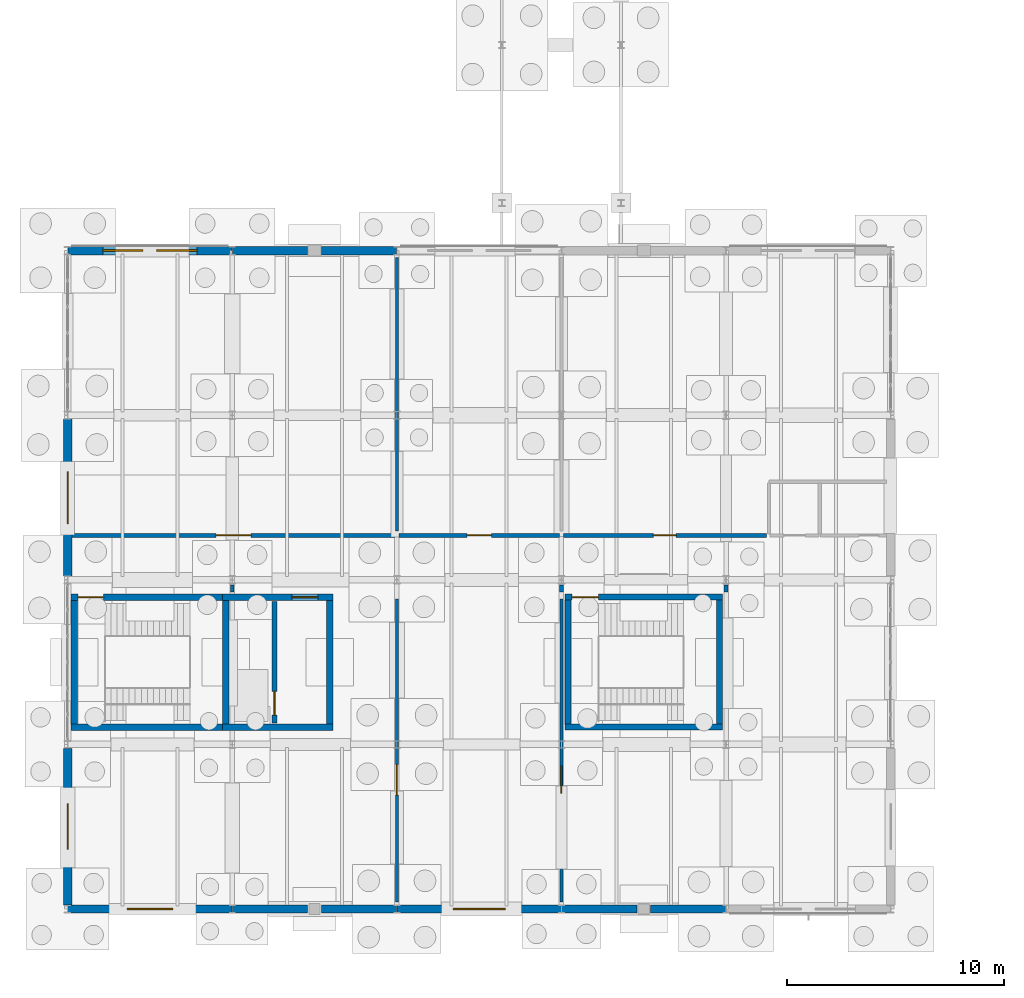
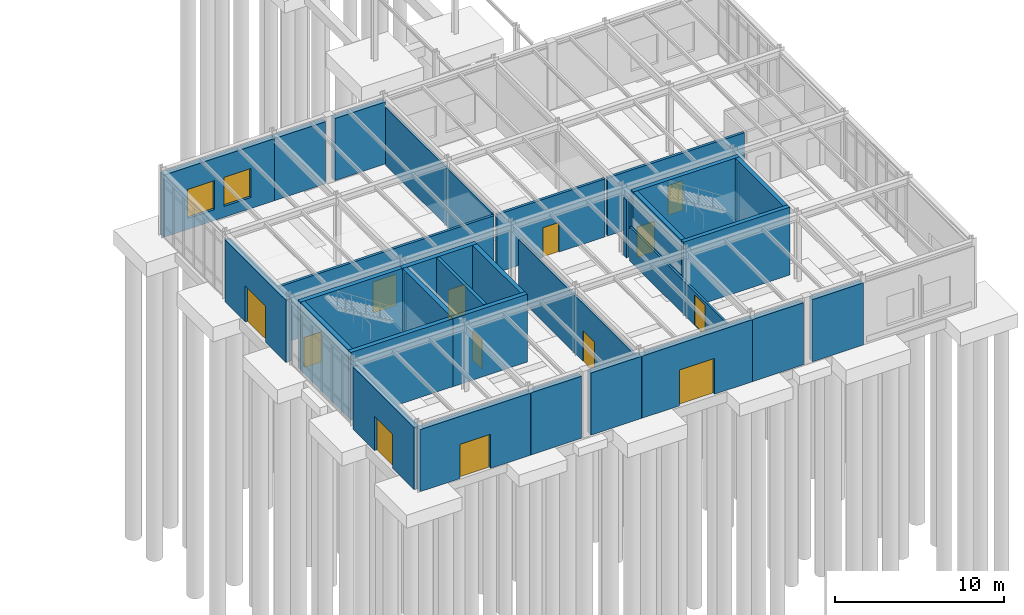
# One storey, part 81 of 109: 32 walls, 13 doors, 2 windows, 15 openings.
"""IFC4 building model written with IfcOpenShell, lengths in metres."""

from ifc_helpers import new_model, si_unit, direction, frame, frame_2d, origin, place, context, subcontext, project, spatial, rectangle, extrude, material, layer, layer_set, type_object, element, fill, save


model = new_model("IFC4")

# Units and contexts
model_context = context("Model", 3, precision=1e-05, world=origin(), true_north=direction((0.0, 1.0)))
body_context = subcontext(model_context, "Body", "Model", "MODEL_VIEW")
ifc_project = project(units=[si_unit("LENGTHUNIT", "METRE"), si_unit("AREAUNIT", "SQUARE_METRE"), si_unit("VOLUMEUNIT", "CUBIC_METRE"), si_unit("PLANEANGLEUNIT", "RADIAN"), si_unit("MASSUNIT", "GRAM", prefix="KILO")], contexts=[model_context])

# Site, building, storey
site_placement = place(None, origin())
site = spatial("IfcSite", under=ifc_project, at=site_placement, CompositionType="ELEMENT")
building_placement = place(site_placement, origin())
building = spatial("IfcBuilding", under=site, at=building_placement, Name="Montecoro Central Library", CompositionType="ELEMENT")
storey_placement = place(building_placement, origin())
storey = spatial("IfcBuildingStorey", under=building, at=storey_placement, Name="L00", CompositionType="ELEMENT", Elevation=0.0)

# Wall, opening, door
ifc_material_1 = material(Name="Dark piperno stone clad concrete C35/45", Category="masonry")
ifc_layer_1 = layer(ifc_material_1, 0.385009765625)
ifc_layer_set_1 = layer_set([ifc_layer_1], Name="Dark piperno stone clad concrete C35/45")
wall_type_1 = type_object("IfcWallType", Name="EW-PIP-385", PredefinedType="SOLIDWALL", material=ifc_layer_set_1)
wall_1_placement = place(storey_placement, frame((5.0048828125, 5.0, 0.0), z_axis=(0.0, 0.0, 1.0), x_axis=(1.0, 0.0, 0.0)))
wall_1 = element("IfcWall", 1, at=wall_1_placement, inside=storey, type_object=wall_type_1, Name="V3-L00-EW-S0", PredefinedType="SOLIDWALL", context=body_context, shape_type="SweptSolid", body=[
    extrude(rectangle(XDim=7.590087890625, YDim=0.385009765625, at=frame_2d((3.794921875, 0.0))), origin(), (0.0, 0.0, 1.0), 4.5),
])
opening_1_placement = place(wall_1_placement, frame((2.7451171875, 0.0, 0.0)))
opening_1 = element("IfcOpeningElement", 2, at=opening_1_placement, cuts=wall_1, Name="Opening ED-04", PredefinedType="OPENING", context=body_context, shape_type="SweptSolid", body=[
    extrude(rectangle(XDim=2.10009765625, YDim=2.47998046875, at=frame_2d((1.050048828125, 1.239990234375))), frame((0.0, 0.202392578125, 0.0), z_axis=(0.0, -1.0, 0.0), x_axis=(1.0, 0.0, 0.0)), (0.0, 0.0, 1.0), 0.405029296875),
])
ifc_material_2 = material(Name="Thermally broken architectural bronze and safety glass", Category="glass")
door_type_1 = type_object("IfcDoorType", Name="ED-EXIT-210", OperationType="NOTDEFINED", PredefinedType="DOOR", material=ifc_material_2)
door_1_placement = place(opening_1_placement, origin())
door_1 = element("IfcDoor", 3, at=door_1_placement, inside=storey, type_object=door_type_1, Name="V3-L00-ED-S0", OperationType="SINGLE_SWING_LEFT", OverallHeight=2.47998046875, OverallWidth=2.10009765625, PredefinedType="DOOR", context=body_context, shape_type="SweptSolid", body=[
    extrude(rectangle(XDim=2.10009765625, YDim=2.47998046875, at=frame_2d((1.050048828125, 1.239990234375))), frame((0.0, 0.02490234375, 0.0), z_axis=(0.0, -1.0, 0.0), x_axis=(1.0, 0.0, 0.0)), (0.0, 0.0, 1.0), 0.050048828125),
])
fill(opening_1, door_1)

# Walls
for number, where, z_axis, x_axis, name in (
    (4, (12.60498046875, 5.0, 0.0), (0.0, 0.0, 1.0), (1.0, 0.0, 0.0), "V3-L00-EW-S1P1"),
    (5, (16.719970703125, 5.0, 0.0), (0.0, 0.0, 1.0), (1.0, 0.0, 0.0), "V3-L00-EW-S1P2"),
):
    element("IfcWall", number, at=place(storey_placement, frame(where, z_axis=z_axis, x_axis=x_axis)), inside=storey, type_object=wall_type_1, Name=name, PredefinedType="SOLIDWALL", context=body_context, shape_type="SweptSolid", body=[
        extrude(rectangle(XDim=3.47509765625, YDim=0.385009765625, at=frame_2d((1.737548828125, 0.0))), origin(), (0.0, 0.0, 1.0), 4.5),
    ])

# Wall, opening, door
wall_2_placement = place(storey_placement, frame((20.205078125, 5.0, 0.0), z_axis=(0.0, 0.0, 1.0), x_axis=(1.0, 0.0, 0.0)))
wall_2 = element("IfcWall", 6, at=wall_2_placement, inside=storey, type_object=wall_type_1, Name="V3-L00-EW-S2", PredefinedType="SOLIDWALL", context=body_context, shape_type="SweptSolid", body=[
    extrude(rectangle(XDim=7.58984375, YDim=0.385009765625, at=frame_2d((3.794921875, 0.0))), origin(), (0.0, 0.0, 1.0), 4.5),
])
opening_2_placement = place(wall_2_placement, frame((2.594970703125, 0.0, 0.0)))
opening_2 = element("IfcOpeningElement", 7, at=opening_2_placement, cuts=wall_2, Name="Opening ED-02", PredefinedType="OPENING", context=body_context, shape_type="SweptSolid", body=[
    extrude(rectangle(XDim=2.39990234375, YDim=2.60009765625, at=frame_2d((1.199951171875, 1.300048828125))), frame((0.0, 0.202392578125, 0.0), z_axis=(0.0, -1.0, 0.0), x_axis=(1.0, 0.0, 0.0)), (0.0, 0.0, 1.0), 0.405029296875),
])
door_type_2 = type_object("IfcDoorType", Name="ED-EXIT-240", OperationType="NOTDEFINED", PredefinedType="DOOR", material=ifc_material_2)
door_2_placement = place(opening_2_placement, origin())
door_2 = element("IfcDoor", 8, at=door_2_placement, inside=storey, type_object=door_type_2, Name="V3-L00-ED-S2", OperationType="SINGLE_SWING_RIGHT", OverallHeight=2.60009765625, OverallWidth=2.39990234375, PredefinedType="DOOR", context=body_context, shape_type="SweptSolid", body=[
    extrude(rectangle(XDim=2.39990234375, YDim=2.60009765625, at=frame_2d((1.199951171875, 1.300048828125))), frame((0.0, 0.02490234375, 0.0), z_axis=(0.0, -1.0, 0.0), x_axis=(1.0, 0.0, 0.0)), (0.0, 0.0, 1.0), 0.050048828125),
])
fill(opening_2, door_2)

# Walls
for number, where, z_axis, x_axis, name in (
    (9, (27.804931640625, 5.0, 0.0), (0.0, 0.0, 1.0), (1.0, 0.0, 0.0), "V3-L00-EW-S3P1"),
    (10, (31.919921875, 5.0, 0.0), (0.0, 0.0, 1.0), (1.0, 0.0, 0.0), "V3-L00-EW-S3P2"),
    (11, (20.195068359375, 35.39990234375, 0.0), (0.0, 0.0, 1.0), (-1.0, 0.0, 0.0), "V3-L00-EW-N1P1"),
    (12, (16.080078125, 35.39990234375, 0.0), (0.0, 0.0, 1.0), (-1.0, 0.0, 0.0), "V3-L00-EW-N1P2"),
):
    element("IfcWall", number, at=place(storey_placement, frame(where, z_axis=z_axis, x_axis=x_axis)), inside=storey, type_object=wall_type_1, Name=name, PredefinedType="SOLIDWALL", context=body_context, shape_type="SweptSolid", body=[
        extrude(rectangle(XDim=3.47509765625, YDim=0.385009765625, at=frame_2d((1.737548828125, 0.0))), origin(), (0.0, 0.0, 1.0), 4.5),
    ])

# Wall, openings, windows
wall_3_placement = place(storey_placement, frame((12.594970703125, 35.39990234375, 0.0), z_axis=(0.0, 0.0, 1.0), x_axis=(-1.0, 0.0, 0.0)))
wall_3 = element("IfcWall", 13, at=wall_3_placement, inside=storey, type_object=wall_type_1, Name="V3-L00-EW-N0", PredefinedType="SOLIDWALL", context=body_context, shape_type="SweptSolid", body=[
    extrude(rectangle(XDim=7.590087890625, YDim=0.385009765625, at=frame_2d((3.794921875, 0.0))), origin(), (0.0, 0.0, 1.0), 4.5),
])
opening_3_placement = place(wall_3_placement, frame((1.6201171875, 0.0, 0.800048828125)))
opening_3 = element("IfcOpeningElement", 14, at=opening_3_placement, cuts=wall_3, Name="Opening WN-11", PredefinedType="OPENING", context=body_context, shape_type="SweptSolid", body=[
    extrude(rectangle(XDim=1.85009765625, YDim=2.10009765625, at=frame_2d((0.925048828125, 1.050048828125))), frame((0.0, 0.202392578125, 0.0), z_axis=(0.0, -1.0, 0.0), x_axis=(1.0, 0.0, 0.0)), (0.0, 0.0, 1.0), 0.405029296875),
])
opening_4_placement = place(wall_3_placement, frame((4.1201171875, 0.0, 0.800048828125)))
opening_4 = element("IfcOpeningElement", 15, at=opening_4_placement, cuts=wall_3, Name="Opening WN-11", PredefinedType="OPENING", context=body_context, shape_type="SweptSolid", body=[
    extrude(rectangle(XDim=1.85009765625, YDim=2.10009765625, at=frame_2d((0.925048828125, 1.050048828125))), frame((0.0, 0.202392578125, 0.0), z_axis=(0.0, -1.0, 0.0), x_axis=(1.0, 0.0, 0.0)), (0.0, 0.0, 1.0), 0.405029296875),
])
ifc_material_3 = material(Name="Laminated low-E double glazing", Category="glass")
window_type = type_object("IfcWindowType", Name="WN-CHD-185", PartitioningType="SINGLE_PANEL", PredefinedType="WINDOW", material=ifc_material_3)
window_1_placement = place(opening_3_placement, origin())
window_1 = element("IfcWindow", 16, at=window_1_placement, inside=storey, type_object=window_type, Name="V3-L00-WN-N0-1", OverallHeight=2.10009765625, OverallWidth=1.85009765625, PartitioningType="SINGLE_PANEL", PredefinedType="WINDOW", context=body_context, shape_type="SweptSolid", body=[
    extrude(rectangle(XDim=1.85009765625, YDim=2.10009765625, at=frame_2d((0.925048828125, 1.050048828125))), frame((0.0, 0.030029296875, 0.0), z_axis=(0.0, -1.0, 0.0), x_axis=(1.0, 0.0, 0.0)), (0.0, 0.0, 1.0), 0.06005859375),
])
fill(opening_3, window_1)
window_2_placement = place(opening_4_placement, origin())
window_2 = element("IfcWindow", 17, at=window_2_placement, inside=storey, type_object=window_type, Name="V3-L00-WN-N0-2", OverallHeight=2.10009765625, OverallWidth=1.85009765625, PartitioningType="SINGLE_PANEL", PredefinedType="WINDOW", context=body_context, shape_type="SweptSolid", body=[
    extrude(rectangle(XDim=1.85009765625, YDim=2.10009765625, at=frame_2d((0.925048828125, 1.050048828125))), frame((0.0, 0.030029296875, 0.0), z_axis=(0.0, -1.0, 0.0), x_axis=(1.0, 0.0, 0.0)), (0.0, 0.0, 1.0), 0.06005859375),
])
fill(opening_4, window_2)

# Wall, opening, door
wall_4_placement = place(storey_placement, frame((5.0, 27.6220703125, 0.0), z_axis=(0.0, 0.0, 1.0), x_axis=(0.0, -1.0, 0.0)))
wall_4 = element("IfcWall", 18, at=wall_4_placement, inside=storey, type_object=wall_type_1, Name="V3-L00-EW-W2", PredefinedType="SOLIDWALL", context=body_context, shape_type="SweptSolid", body=[
    extrude(rectangle(XDim=7.244140625, YDim=0.385009765625, at=frame_2d((3.6220703125, 0.0))), origin(), (0.0, 0.0, 1.0), 4.5),
])
opening_5_placement = place(wall_4_placement, frame((2.422119140625, 0.0, 0.0)))
opening_5 = element("IfcOpeningElement", 19, at=opening_5_placement, cuts=wall_4, Name="Opening ED-02", PredefinedType="OPENING", context=body_context, shape_type="SweptSolid", body=[
    extrude(rectangle(XDim=2.39990234375, YDim=2.60009765625, at=frame_2d((1.199951171875, 1.300048828125))), frame((0.0, 0.202392578125, 0.0), z_axis=(0.0, -1.0, 0.0), x_axis=(1.0, 0.0, 0.0)), (0.0, 0.0, 1.0), 0.405029296875),
])
door_3_placement = place(opening_5_placement, origin())
door_3 = element("IfcDoor", 20, at=door_3_placement, inside=storey, type_object=door_type_2, Name="V3-L00-ED-W2", OperationType="SINGLE_SWING_RIGHT", OverallHeight=2.60009765625, OverallWidth=2.39990234375, PredefinedType="DOOR", context=body_context, shape_type="SweptSolid", body=[
    extrude(rectangle(XDim=2.39990234375, YDim=2.60009765625, at=frame_2d((1.199951171875, 1.300048828125))), frame((0.0, 0.02490234375, 0.0), z_axis=(0.0, -1.0, 0.0), x_axis=(1.0, 0.0, 0.0)), (0.0, 0.0, 1.0), 0.050048828125),
])
fill(opening_5, door_3)

wall_5_placement = place(storey_placement, frame((5.0, 12.422119140625, 0.0), z_axis=(0.0, 0.0, 1.0), x_axis=(0.0, -1.0, 0.0)))
wall_5 = element("IfcWall", 21, at=wall_5_placement, inside=storey, type_object=wall_type_1, Name="V3-L00-EW-W0", PredefinedType="SOLIDWALL", context=body_context, shape_type="SweptSolid", body=[
    extrude(rectangle(XDim=7.244140625, YDim=0.385009765625, at=frame_2d((3.6220703125, 0.0))), origin(), (0.0, 0.0, 1.0), 4.5),
])
opening_6_placement = place(wall_5_placement, frame((2.572021484375, 0.0, 0.0)))
opening_6 = element("IfcOpeningElement", 22, at=opening_6_placement, cuts=wall_5, Name="Opening ED-04", PredefinedType="OPENING", context=body_context, shape_type="SweptSolid", body=[
    extrude(rectangle(XDim=2.10009765625, YDim=2.47998046875, at=frame_2d((1.050048828125, 1.239990234375))), frame((0.0, 0.202392578125, 0.0), z_axis=(0.0, -1.0, 0.0), x_axis=(1.0, 0.0, 0.0)), (0.0, 0.0, 1.0), 0.405029296875),
])
door_4_placement = place(opening_6_placement, origin())
door_4 = element("IfcDoor", 23, at=door_4_placement, inside=storey, type_object=door_type_1, Name="V3-L00-ED-W0", OperationType="SINGLE_SWING_LEFT", OverallHeight=2.47998046875, OverallWidth=2.10009765625, PredefinedType="DOOR", context=body_context, shape_type="SweptSolid", body=[
    extrude(rectangle(XDim=2.10009765625, YDim=2.47998046875, at=frame_2d((1.050048828125, 1.239990234375))), frame((0.0, 0.02490234375, 0.0), z_axis=(0.0, -1.0, 0.0), x_axis=(1.0, 0.0, 0.0)), (0.0, 0.0, 1.0), 0.050048828125),
])
fill(opening_6, door_4)

ifc_material_4 = material(Name="Gypsum fire-rated partition")
ifc_layer_2 = layer(ifc_material_4, 0.179931640625)
ifc_layer_set_2 = layer_set([ifc_layer_2], Name="Gypsum fire-rated partition")
wall_type_2 = type_object("IfcWallType", Name="IW-COR-180", PredefinedType="PARTITIONING", material=ifc_layer_set_2)
wall_6_placement = place(storey_placement, frame((5.199951171875, 22.25, 0.0), z_axis=(0.0, 0.0, 1.0), x_axis=(1.0, 0.0, 0.0)))
wall_6 = element("IfcWall", 24, at=wall_6_placement, inside=storey, type_object=wall_type_2, Name="CORW-V3-L00-01", PredefinedType="PARTITIONING", context=body_context, shape_type="SweptSolid", body=[
    extrude(rectangle(XDim=14.91015625, YDim=0.179931640625, at=frame_2d((7.455078125, 0.0))), origin(), (0.0, 0.0, 1.0), 4.199951171875),
])
opening_7_placement = place(wall_6_placement, frame((6.655029296875, 0.0, 0.0)))
opening_7 = element("IfcOpeningElement", 25, at=opening_7_placement, cuts=wall_6, Name="Opening ID-06", PredefinedType="OPENING", context=body_context, shape_type="SweptSolid", body=[
    extrude(rectangle(XDim=1.60009765625, YDim=2.25, at=frame_2d((0.800048828125, 1.125))), frame((0.0, 0.099853515625, 0.0), z_axis=(0.0, -1.0, 0.0), x_axis=(1.0, 0.0, 0.0)), (0.0, 0.0, 1.0), 0.199951171875),
])
ifc_material_5 = material(Name="Solid oak and fire-rated steel door", Category="steel")
door_type_3 = type_object("IfcDoorType", Name="ID-COR-160", OperationType="NOTDEFINED", PredefinedType="DOOR", material=ifc_material_5)
door_5_placement = place(opening_7_placement, origin())
door_5 = element("IfcDoor", 26, at=door_5_placement, inside=storey, type_object=door_type_3, Name="DR-SP-V3-L00-R1P1", OperationType="DOUBLE_DOOR_SINGLE_SWING", OverallHeight=2.25, OverallWidth=1.60009765625, PredefinedType="DOOR", context=body_context, shape_type="SweptSolid", body=[
    extrude(rectangle(XDim=1.60009765625, YDim=2.25, at=frame_2d((0.800048828125, 1.125))), frame((0.0, 0.02490234375, 0.0), z_axis=(0.0, -1.0, 0.0), x_axis=(1.0, 0.0, 0.0)), (0.0, 0.0, 1.0), 0.050048828125),
])
fill(opening_7, door_5)

wall_7_placement = place(storey_placement, frame((20.2900390625, 22.25, 0.0), z_axis=(0.0, 0.0, 1.0), x_axis=(1.0, 0.0, 0.0)))
wall_7 = element("IfcWall", 27, at=wall_7_placement, inside=storey, type_object=wall_type_2, Name="CORW-V3-L00-02", PredefinedType="PARTITIONING", context=body_context, shape_type="SweptSolid", body=[
    extrude(rectangle(XDim=7.419921875, YDim=0.179931640625, at=frame_2d((3.7099609375, 0.0))), origin(), (0.0, 0.0, 1.0), 4.199951171875),
])
opening_8_placement = place(wall_7_placement, frame((3.14990234375, 0.0, 0.0)))
opening_8 = element("IfcOpeningElement", 28, at=opening_8_placement, cuts=wall_7, Name="Opening ID-12", PredefinedType="OPENING", context=body_context, shape_type="SweptSolid", body=[
    extrude(rectangle(XDim=1.1201171875, YDim=2.14990234375, at=frame_2d((0.56005859375, 1.074951171875))), frame((0.0, 0.099853515625, 0.0), z_axis=(0.0, -1.0, 0.0), x_axis=(1.0, 0.0, 0.0)), (0.0, 0.0, 1.0), 0.199951171875),
])
door_type_4 = type_object("IfcDoorType", Name="ID-RM-112", OperationType="NOTDEFINED", PredefinedType="DOOR", material=ifc_material_5)
door_6_placement = place(opening_8_placement, origin())
door_6 = element("IfcDoor", 29, at=door_6_placement, inside=storey, type_object=door_type_4, Name="DR-SP-V3-L00-R2P2", OperationType="SINGLE_SWING_RIGHT", OverallHeight=2.14990234375, OverallWidth=1.1201171875, PredefinedType="DOOR", context=body_context, shape_type="SweptSolid", body=[
    extrude(rectangle(XDim=1.1201171875, YDim=2.14990234375, at=frame_2d((0.56005859375, 1.074951171875))), frame((0.0, 0.02490234375, 0.0), z_axis=(0.0, -1.0, 0.0), x_axis=(1.0, 0.0, 0.0)), (0.0, 0.0, 1.0), 0.050048828125),
])
fill(opening_8, door_6)

wall_8_placement = place(storey_placement, frame((27.889892578125, 22.25, 0.0), z_axis=(0.0, 0.0, 1.0), x_axis=(1.0, 0.0, 0.0)))
wall_8 = element("IfcWall", 30, at=wall_8_placement, inside=storey, type_object=wall_type_2, Name="CORW-V3-L00-03", PredefinedType="PARTITIONING", context=body_context, shape_type="SweptSolid", body=[
    extrude(rectangle(XDim=9.3701171875, YDim=0.179931640625, at=frame_2d((4.68505859375, 0.0))), origin(), (0.0, 0.0, 1.0), 4.199951171875),
])
opening_9_placement = place(wall_8_placement, frame((4.159912109375, 0.0, 0.0)))
opening_9 = element("IfcOpeningElement", 31, at=opening_9_placement, cuts=wall_8, Name="Opening ID-13", PredefinedType="OPENING", context=body_context, shape_type="SweptSolid", body=[
    extrude(rectangle(XDim=1.050048828125, YDim=2.14990234375, at=frame_2d((0.52490234375, 1.074951171875))), frame((0.0, 0.099853515625, 0.0), z_axis=(0.0, -1.0, 0.0), x_axis=(1.0, 0.0, 0.0)), (0.0, 0.0, 1.0), 0.199951171875),
])
door_type_5 = type_object("IfcDoorType", Name="ID-RM-105", OperationType="NOTDEFINED", PredefinedType="DOOR", material=ifc_material_5)
door_7_placement = place(opening_9_placement, origin())
door_7 = element("IfcDoor", 32, at=door_7_placement, inside=storey, type_object=door_type_5, Name="DR-SP-V3-L00-R3P1", OperationType="SINGLE_SWING_LEFT", OverallHeight=2.14990234375, OverallWidth=1.050048828125, PredefinedType="DOOR", context=body_context, shape_type="SweptSolid", body=[
    extrude(rectangle(XDim=1.050048828125, YDim=2.14990234375, at=frame_2d((0.52490234375, 1.074951171875))), frame((0.0, 0.02490234375, 0.0), z_axis=(0.0, -1.0, 0.0), x_axis=(1.0, 0.0, 0.0)), (0.0, 0.0, 1.0), 0.050048828125),
])
fill(opening_9, door_7)

# Walls
for number, where, z_axis, x_axis, name in (
    (33, (12.60009765625, 19.639892578125, 0.0), (0.0, 0.0, 1.0), (0.0, 1.0, 0.0), "PIL-V3-L00-1"),
    (34, (27.800048828125, 19.639892578125, 0.0), (0.0, 0.0, 1.0), (0.0, 1.0, 0.0), "PIL-V3-L00-2"),
    (35, (35.39990234375, 19.639892578125, 0.0), (0.0, 0.0, 1.0), (0.0, 1.0, 0.0), "PIL-V3-L00-3"),
):
    element("IfcWall", number, at=place(storey_placement, frame(where, z_axis=z_axis, x_axis=x_axis)), inside=storey, type_object=wall_type_2, Name=name, PredefinedType="PARTITIONING", context=body_context, shape_type="SweptSolid", body=[
        extrude(rectangle(XDim=0.320068359375, YDim=0.179931640625, at=frame_2d((0.16015625, 0.0))), origin(), (0.0, 0.0, 1.0), 4.199951171875),
    ])

# Wall, opening, door
ifc_material_6 = material(Name="Concrete C32/40", Category="concrete")
ifc_layer_3 = layer(ifc_material_6, 0.219970703125)
ifc_layer_set_3 = layer_set([ifc_layer_3], Name="Concrete C32/40")
wall_type_3 = type_object("IfcWallType", Name="IW-FFL-220", PredefinedType="SOLIDWALL", material=ifc_layer_set_3)
wall_9_placement = place(storey_placement, frame((14.550048828125, 13.60009765625, 0.0), z_axis=(0.0, 0.0, 1.0), x_axis=(0.0, 1.0, 0.0)))
wall_9 = element("IfcWall", 36, at=wall_9_placement, inside=storey, type_object=wall_type_3, Name="C4-L00-WLSH", PredefinedType="SOLIDWALL", context=body_context, shape_type="SweptSolid", body=[
    extrude(rectangle(XDim=5.599853515625, YDim=0.219970703125, at=frame_2d((2.7998046875, 0.0))), origin(), (0.0, 0.0, 1.0), 4.922119140625),
])
opening_10_placement = place(wall_9_placement, frame((0.35009765625, 0.0, 0.0)))
opening_10 = element("IfcOpeningElement", 37, at=opening_10_placement, cuts=wall_9, Name="Opening LD-01", PredefinedType="OPENING", context=body_context, shape_type="SweptSolid", body=[
    extrude(rectangle(XDim=1.10009765625, YDim=2.14990234375, at=frame_2d((0.550048828125, 1.074951171875))), frame((0.0, 0.119873046875, 0.0), z_axis=(0.0, -1.0, 0.0), x_axis=(1.0, 0.0, 0.0)), (0.0, 0.0, 1.0), 0.239990234375),
])
door_type_6 = type_object("IfcDoorType", Name="LD-LIFT-110", OperationType="NOTDEFINED", PredefinedType="DOOR", material=ifc_material_5)
door_8_placement = place(opening_10_placement, origin())
door_8 = element("IfcDoor", 38, at=door_8_placement, inside=storey, type_object=door_type_6, Name="C4-L00-LD-PL-04", OperationType="SLIDING_TO_LEFT", OverallHeight=2.14990234375, OverallWidth=1.10009765625, PredefinedType="DOOR", context=body_context, shape_type="SweptSolid", body=[
    extrude(rectangle(XDim=1.10009765625, YDim=2.14990234375, at=frame_2d((0.550048828125, 1.074951171875))), frame((0.0, 0.02490234375, 0.0), z_axis=(0.0, -1.0, 0.0), x_axis=(1.0, 0.0, 0.0)), (0.0, 0.0, 1.0), 0.050048828125),
])
fill(opening_10, door_8)

# Wall
ifc_material_7 = material(Name="Gypsum metal-stud partition")
ifc_layer_4 = layer(ifc_material_7, 0.139892578125)
ifc_layer_set_4 = layer_set([ifc_layer_4], Name="Gypsum metal-stud partition")
wall_type_4 = type_object("IfcWallType", Name="IW-PRT-140", PredefinedType="PARTITIONING", material=ifc_layer_set_4)
wall_10_placement = place(storey_placement, frame((20.199951171875, 22.4599609375, 0.0), z_axis=(0.0, 0.0, 1.0), x_axis=(0.0, 1.0, 0.0)))
element("IfcWall", 39, at=wall_10_placement, inside=storey, type_object=wall_type_4, Name="DIVW-V3-L00-01-1", PredefinedType="PARTITIONING", context=body_context, shape_type="SweptSolid", body=[
    extrude(rectangle(XDim=12.6201171875, YDim=0.139892578125, at=frame_2d((6.31005859375, 0.0))), origin(), (0.0, 0.0, 1.0), 4.199951171875),
])

# Wall, opening, door
wall_11_placement = place(storey_placement, frame((20.199951171875, 5.320068359375, 0.0), z_axis=(0.0, 0.0, 1.0), x_axis=(0.0, 1.0, 0.0)))
wall_11 = element("IfcWall", 40, at=wall_11_placement, inside=storey, type_object=wall_type_4, Name="DIVWS-V3-L00-01-1", PredefinedType="PARTITIONING", context=body_context, shape_type="SweptSolid", body=[
    extrude(rectangle(XDim=13.989990234375, YDim=0.139892578125, at=frame_2d((6.9951171875, 0.0))), origin(), (0.0, 0.0, 1.0), 4.199951171875),
])
opening_11_placement = place(wall_11_placement, frame((4.945068359375, 0.0, 0.0)))
opening_11 = element("IfcOpeningElement", 41, at=opening_11_placement, cuts=wall_11, Name="Opening ID-08", PredefinedType="OPENING", context=body_context, shape_type="SweptSolid", body=[
    extrude(rectangle(XDim=1.39990234375, YDim=2.219970703125, at=frame_2d((0.699951171875, 1.10986328125))), frame((0.0, 0.079833984375, 0.0), z_axis=(0.0, -1.0, 0.0), x_axis=(1.0, 0.0, 0.0)), (0.0, 0.0, 1.0), 0.159912109375),
])
door_type_7 = type_object("IfcDoorType", Name="ID-RDG-140", OperationType="NOTDEFINED", PredefinedType="DOOR", material=ifc_material_5)
door_9_placement = place(opening_11_placement, origin())
door_9 = element("IfcDoor", 42, at=door_9_placement, inside=storey, type_object=door_type_7, Name="DR-SP-V3-L00-R1P2", OperationType="SINGLE_SWING_RIGHT", OverallHeight=2.219970703125, OverallWidth=1.39990234375, PredefinedType="DOOR", context=body_context, shape_type="SweptSolid", body=[
    extrude(rectangle(XDim=1.39990234375, YDim=2.219970703125, at=frame_2d((0.699951171875, 1.10986328125))), frame((0.0, 0.02490234375, 0.0), z_axis=(0.0, -1.0, 0.0), x_axis=(1.0, 0.0, 0.0)), (0.0, 0.0, 1.0), 0.050048828125),
])
fill(opening_11, door_9)

wall_12_placement = place(storey_placement, frame((27.800048828125, 5.320068359375, 0.0), z_axis=(0.0, 0.0, 1.0), x_axis=(0.0, 1.0, 0.0)))
wall_12 = element("IfcWall", 43, at=wall_12_placement, inside=storey, type_object=wall_type_4, Name="DIVWS-V3-L00-02-1", PredefinedType="PARTITIONING", context=body_context, shape_type="SweptSolid", body=[
    extrude(rectangle(XDim=13.989990234375, YDim=0.139892578125, at=frame_2d((6.9951171875, 0.0))), origin(), (0.0, 0.0, 1.0), 2.445068359375),
])
opening_12_placement = place(wall_12_placement, frame((5.014892578125, 0.0, 0.0)))
opening_12 = element("IfcOpeningElement", 44, at=opening_12_placement, cuts=wall_12, Name="Opening ID-09", PredefinedType="OPENING", context=body_context, shape_type="SweptSolid", body=[
    extrude(rectangle(XDim=1.260009765625, YDim=2.199951171875, at=frame_2d((0.6298828125, 1.10009765625))), frame((0.0, 0.079833984375, 0.0), z_axis=(0.0, -1.0, 0.0), x_axis=(1.0, 0.0, 0.0)), (0.0, 0.0, 1.0), 0.159912109375),
])
door_type_8 = type_object("IfcDoorType", Name="ID-RDG-126", OperationType="NOTDEFINED", PredefinedType="DOOR", material=ifc_material_5)
door_10_placement = place(opening_12_placement, origin())
door_10 = element("IfcDoor", 45, at=door_10_placement, inside=storey, type_object=door_type_8, Name="DR-SP-V3-L00-R2P1", OperationType="SINGLE_SWING_LEFT", OverallHeight=2.199951171875, OverallWidth=1.260009765625, PredefinedType="DOOR", context=body_context, shape_type="SweptSolid", body=[
    extrude(rectangle(XDim=1.260009765625, YDim=2.199951171875, at=frame_2d((0.6298828125, 1.10009765625))), frame((0.0, 0.02490234375, 0.0), z_axis=(0.0, -1.0, 0.0), x_axis=(1.0, 0.0, 0.0)), (0.0, 0.0, 1.0), 0.050048828125),
])
fill(opening_12, door_10)

# Wall
ifc_material_8 = material(Name="Concrete C35/45", Category="concrete")
ifc_layer_5 = layer(ifc_material_8, 0.280029296875)
ifc_layer_set_5 = layer_set([ifc_layer_5], Name="Concrete C35/45")
wall_type_5 = type_object("IfcWallType", Name="IW-SHR-280", PredefinedType="SHEAR", material=ifc_layer_set_5)
wall_13_placement = place(storey_placement, frame((27.9599609375, 13.39990234375, 0.0), z_axis=(0.0, 0.0, 1.0), x_axis=(1.0, 0.0, 0.0)))
element("IfcWall", 46, at=wall_13_placement, inside=storey, type_object=wall_type_5, Name="C11-L00-WS", PredefinedType="SHEAR", context=body_context, shape_type="SweptSolid", body=[
    extrude(rectangle(XDim=7.280029296875, YDim=0.280029296875, at=frame_2d((3.64013671875, 0.0))), origin(), (0.0, 0.0, 1.0), 4.922119140625),
])

# Wall, opening, door
wall_14_placement = place(storey_placement, frame((27.9599609375, 19.39990234375, 0.0), z_axis=(0.0, 0.0, 1.0), x_axis=(1.0, 0.0, 0.0)))
wall_14 = element("IfcWall", 47, at=wall_14_placement, inside=storey, type_object=wall_type_5, Name="C11-L00-WN", PredefinedType="SHEAR", context=body_context, shape_type="SweptSolid", body=[
    extrude(rectangle(XDim=7.280029296875, YDim=0.280029296875, at=frame_2d((3.64013671875, 0.0))), origin(), (0.0, 0.0, 1.0), 4.922119140625),
])
opening_13_placement = place(wall_14_placement, frame((0.320068359375, 0.0, 0.0)))
opening_13 = element("IfcOpeningElement", 48, at=opening_13_placement, cuts=wall_14, Name="Opening ID-01", PredefinedType="OPENING", context=body_context, shape_type="SweptSolid", body=[
    extrude(rectangle(XDim=1.219970703125, YDim=2.179931640625, at=frame_2d((0.60986328125, 1.08984375))), frame((0.0, 0.14990234375, 0.0), z_axis=(0.0, -1.0, 0.0), x_axis=(1.0, 0.0, 0.0)), (0.0, 0.0, 1.0), 0.300048828125),
])
door_type_9 = type_object("IfcDoorType", Name="ID-STR-140", OperationType="NOTDEFINED", PredefinedType="DOOR", material=ifc_material_5)
door_11_placement = place(opening_13_placement, origin())
door_11 = element("IfcDoor", 49, at=door_11_placement, inside=storey, type_object=door_type_9, Name="C11-L00-DSTR", OperationType="SINGLE_SWING_RIGHT", OverallHeight=2.179931640625, OverallWidth=1.219970703125, PredefinedType="DOOR", context=body_context, shape_type="SweptSolid", body=[
    extrude(rectangle(XDim=1.219970703125, YDim=2.179931640625, at=frame_2d((0.60986328125, 1.08984375))), frame((0.0, 0.02490234375, 0.0), z_axis=(0.0, -1.0, 0.0), x_axis=(1.0, 0.0, 0.0)), (0.0, 0.0, 1.0), 0.050048828125),
])
fill(opening_13, door_11)

# Walls
for number, where, z_axis, x_axis, name in (
    (50, (28.10009765625, 13.5400390625, 0.0), (0.0, 0.0, 1.0), (0.0, 1.0, 0.0), "C11-L00-WW"),
    (51, (35.10009765625, 13.5400390625, 0.0), (0.0, 0.0, 1.0), (0.0, 1.0, 0.0), "C11-L00-WE"),
):
    element("IfcWall", number, at=place(storey_placement, frame(where, z_axis=z_axis, x_axis=x_axis)), inside=storey, type_object=wall_type_5, Name=name, PredefinedType="SHEAR", context=body_context, shape_type="SweptSolid", body=[
        extrude(rectangle(XDim=5.719970703125, YDim=0.280029296875, at=frame_2d((2.85986328125, 0.0))), origin(), (0.0, 0.0, 1.0), 4.922119140625),
    ])
ifc_layer_6 = layer(ifc_material_8, 0.300048828125)
ifc_layer_set_6 = layer_set([ifc_layer_6], Name="Concrete C35/45")
wall_type_6 = type_object("IfcWallType", Name="IW-SHR-300", PredefinedType="SHEAR", material=ifc_layer_set_6)
wall_15_placement = place(storey_placement, frame((12.14990234375, 13.39990234375, 0.0), z_axis=(0.0, 0.0, 1.0), x_axis=(1.0, 0.0, 0.0)))
element("IfcWall", 52, at=wall_15_placement, inside=storey, type_object=wall_type_6, Name="C4-L00-LWS", PredefinedType="SHEAR", context=body_context, shape_type="SweptSolid", body=[
    extrude(rectangle(XDim=5.10009765625, YDim=0.300048828125, at=frame_2d((2.550048828125, 0.0))), origin(), (0.0, 0.0, 1.0), 4.922119140625),
])

# Wall, opening, door
wall_16_placement = place(storey_placement, frame((17.25, 19.39990234375, 0.0), z_axis=(0.0, 0.0, 1.0), x_axis=(-1.0, 0.0, 0.0)))
wall_16 = element("IfcWall", 53, at=wall_16_placement, inside=storey, type_object=wall_type_6, Name="C4-L00-LWN", PredefinedType="SHEAR", context=body_context, shape_type="SweptSolid", body=[
    extrude(rectangle(XDim=5.10009765625, YDim=0.300048828125, at=frame_2d((2.550048828125, 0.0))), origin(), (0.0, 0.0, 1.0), 4.922119140625),
])
opening_14_placement = place(wall_16_placement, frame((0.699951171875, 0.0, 0.0)))
opening_14 = element("IfcOpeningElement", 54, at=opening_14_placement, cuts=wall_16, Name="Opening ID-03", PredefinedType="OPENING", context=body_context, shape_type="SweptSolid", body=[
    extrude(rectangle(XDim=1.199951171875, YDim=2.159912109375, at=frame_2d((0.60009765625, 1.080078125))), frame((0.0, 0.159912109375, 0.0), z_axis=(0.0, -1.0, 0.0), x_axis=(1.0, 0.0, 0.0)), (0.0, 0.0, 1.0), 0.320068359375),
])
door_type_10 = type_object("IfcDoorType", Name="ID-FFL-120", OperationType="NOTDEFINED", PredefinedType="DOOR", material=ifc_material_5)
door_12_placement = place(opening_14_placement, origin())
door_12 = element("IfcDoor", 55, at=door_12_placement, inside=storey, type_object=door_type_10, Name="C4-L00-DLOB", OperationType="SINGLE_SWING_LEFT", OverallHeight=2.159912109375, OverallWidth=1.199951171875, PredefinedType="DOOR", context=body_context, shape_type="SweptSolid", body=[
    extrude(rectangle(XDim=1.199951171875, YDim=2.159912109375, at=frame_2d((0.60009765625, 1.080078125))), frame((0.0, 0.02490234375, 0.0), z_axis=(0.0, -1.0, 0.0), x_axis=(1.0, 0.0, 0.0)), (0.0, 0.0, 1.0), 0.050048828125),
])
fill(opening_14, door_12)

# Walls
wall_17_placement = place(storey_placement, frame((17.10009765625, 13.550048828125, 0.0), z_axis=(0.0, 0.0, 1.0), x_axis=(0.0, 1.0, 0.0)))
element("IfcWall", 56, at=wall_17_placement, inside=storey, type_object=wall_type_6, Name="C4-L00-LWE", PredefinedType="SHEAR", context=body_context, shape_type="SweptSolid", body=[
    extrude(rectangle(XDim=5.699951171875, YDim=0.300048828125, at=frame_2d((2.85009765625, 0.0))), origin(), (0.0, 0.0, 1.0), 4.922119140625),
])
wall_18_placement = place(storey_placement, frame((5.14990234375, 13.39990234375, 0.0), z_axis=(0.0, 0.0, 1.0), x_axis=(1.0, 0.0, 0.0)))
element("IfcWall", 57, at=wall_18_placement, inside=storey, type_object=wall_type_6, Name="C4-L00-WS", PredefinedType="SHEAR", context=body_context, shape_type="SweptSolid", body=[
    extrude(rectangle(XDim=7.300048828125, YDim=0.300048828125, at=frame_2d((3.64990234375, 0.0))), origin(), (0.0, 0.0, 1.0), 4.922119140625),
])

# Wall, opening, door
wall_19_placement = place(storey_placement, frame((5.14990234375, 19.39990234375, 0.0), z_axis=(0.0, 0.0, 1.0), x_axis=(1.0, 0.0, 0.0)))
wall_19 = element("IfcWall", 58, at=wall_19_placement, inside=storey, type_object=wall_type_6, Name="C4-L00-WN", PredefinedType="SHEAR", context=body_context, shape_type="SweptSolid", body=[
    extrude(rectangle(XDim=7.300048828125, YDim=0.300048828125, at=frame_2d((3.64990234375, 0.0))), origin(), (0.0, 0.0, 1.0), 4.922119140625),
])
opening_15_placement = place(wall_19_placement, frame((0.330078125, 0.0, 0.0)))
opening_15 = element("IfcOpeningElement", 59, at=opening_15_placement, cuts=wall_19, Name="Opening ID-02", PredefinedType="OPENING", context=body_context, shape_type="SweptSolid", body=[
    extrude(rectangle(XDim=1.179931640625, YDim=2.179931640625, at=frame_2d((0.58984375, 1.08984375))), frame((0.0, 0.159912109375, 0.0), z_axis=(0.0, -1.0, 0.0), x_axis=(1.0, 0.0, 0.0)), (0.0, 0.0, 1.0), 0.320068359375),
])
door_type_11 = type_object("IfcDoorType", Name="ID-STR-135", OperationType="NOTDEFINED", PredefinedType="DOOR", material=ifc_material_5)
door_13_placement = place(opening_15_placement, origin())
door_13 = element("IfcDoor", 60, at=door_13_placement, inside=storey, type_object=door_type_11, Name="C4-L00-DSTR", OperationType="SINGLE_SWING_RIGHT", OverallHeight=2.179931640625, OverallWidth=1.179931640625, PredefinedType="DOOR", context=body_context, shape_type="SweptSolid", body=[
    extrude(rectangle(XDim=1.179931640625, YDim=2.179931640625, at=frame_2d((0.58984375, 1.08984375))), frame((0.0, 0.02490234375, 0.0), z_axis=(0.0, -1.0, 0.0), x_axis=(1.0, 0.0, 0.0)), (0.0, 0.0, 1.0), 0.050048828125),
])
fill(opening_15, door_13)

# Walls
for number, where, z_axis, x_axis, name in (
    (61, (5.300048828125, 13.550048828125, 0.0), (0.0, 0.0, 1.0), (0.0, 1.0, 0.0), "C4-L00-WW"),
    (62, (12.300048828125, 13.550048828125, 0.0), (0.0, 0.0, 1.0), (0.0, 1.0, 0.0), "C4-L00-WE"),
):
    element("IfcWall", number, at=place(storey_placement, frame(where, z_axis=z_axis, x_axis=x_axis)), inside=storey, type_object=wall_type_6, Name=name, PredefinedType="SHEAR", context=body_context, shape_type="SweptSolid", body=[
        extrude(rectangle(XDim=5.699951171875, YDim=0.300048828125, at=frame_2d((2.85009765625, 0.0))), origin(), (0.0, 0.0, 1.0), 4.922119140625),
    ])

save(model, "model.ifc")
